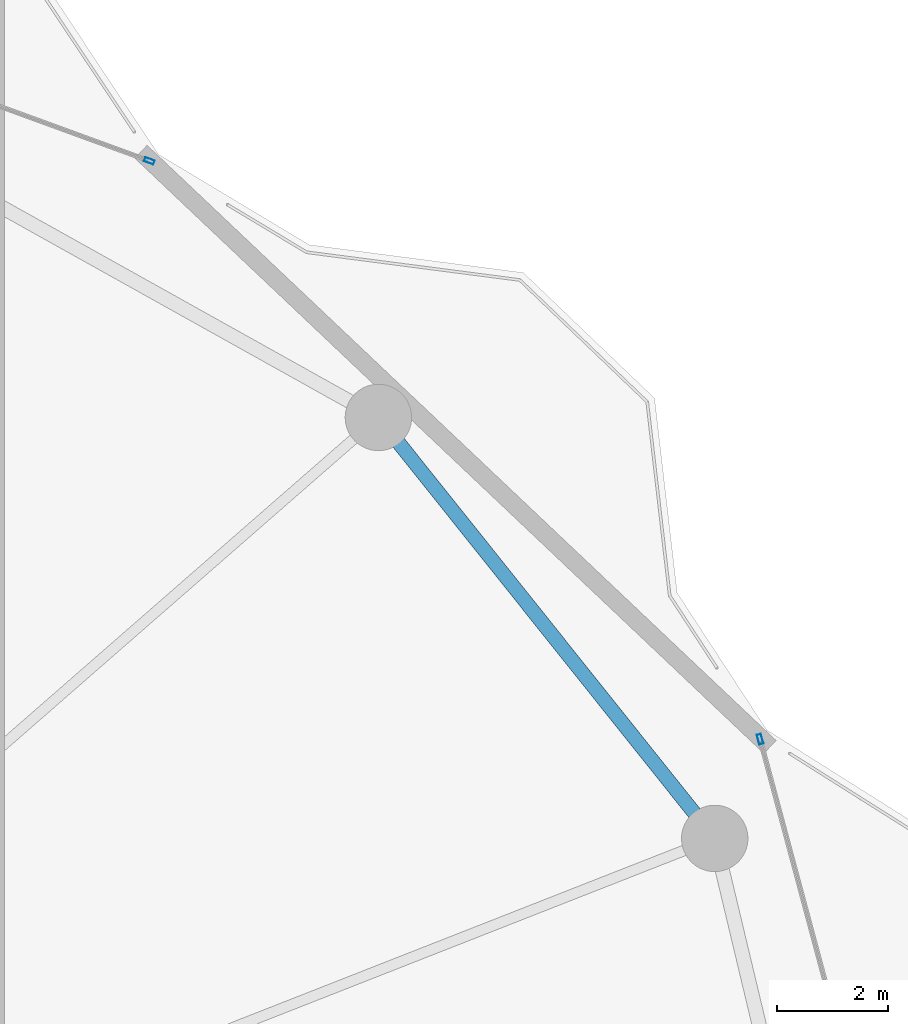
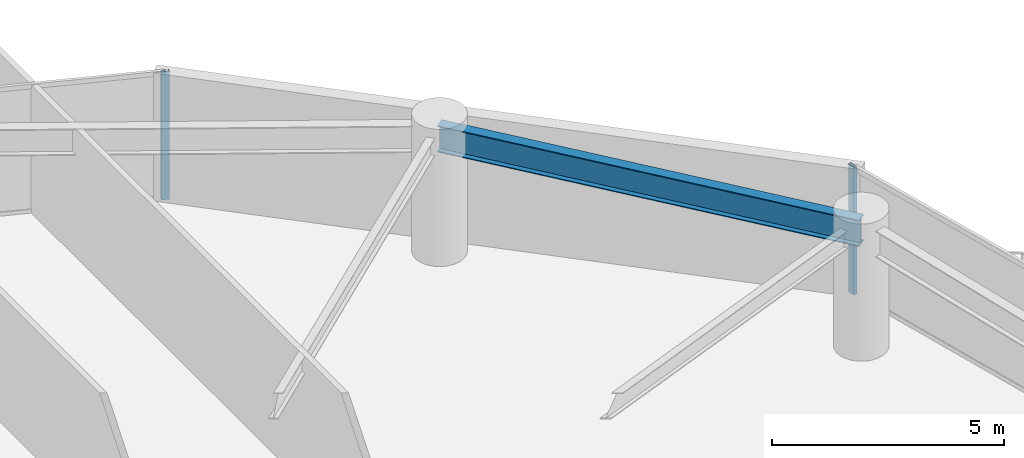
# One storey, part 21 of 28: 2 members, 1 beam, 2 elements without a shape of their own.
"""IFC4 building model written with IfcOpenShell, lengths in metres."""

from ifc_helpers import new_model, si_unit, direction, frame, origin, origin_2d, place, context, subcontext, project, spatial, hollow_rectangle, i_section, extrude, material, layer, layer_set, material_profile, profile_set, type_object, element, aggregate, save


model = new_model("IFC4")

# Units and contexts
model_context = context("Model", 3, precision=1e-05, world=origin(), true_north=direction((0.0, 1.0)))
body_context = subcontext(model_context, "Body", "Model", "MODEL_VIEW")
ifc_project = project(units=[si_unit("LENGTHUNIT", "METRE"), si_unit("AREAUNIT", "SQUARE_METRE"), si_unit("VOLUMEUNIT", "CUBIC_METRE"), si_unit("PLANEANGLEUNIT", "RADIAN"), si_unit("MASSUNIT", "GRAM", prefix="KILO")], contexts=[model_context])

# Site, building, storey
site_placement = place(None, origin())
site = spatial("IfcSite", under=ifc_project, at=site_placement, CompositionType="ELEMENT")
building_placement = place(site_placement, origin())
building = spatial("IfcBuilding", under=site, at=building_placement, Name="Kazevale Care Tower and Concert Hall", CompositionType="ELEMENT")
storey_placement = place(building_placement, frame((0.0, 0.0, 120.60009765625)))
storey = spatial("IfcBuildingStorey", under=building, at=storey_placement, Name="L31", CompositionType="ELEMENT", Elevation=120.60009765625)

# Curtain wall, member
ifc_material_1 = material(Name="Aluminium 6063-T6 and Low-E Glass", Category="aluminium")
ifc_layer_1 = layer(ifc_material_1, 0.179931640625)
ifc_layer_set_1 = layer_set([ifc_layer_1], Name="Aluminium 6063-T6 and Low-E Glass")
curtain_wall_type_1 = type_object("IfcCurtainWallType", Name="Convex Checkerboard Finned Curtain Wall CW-2", PredefinedType="NOTDEFINED", material=ifc_layer_set_1)
curtain_wall_1_placement = place(storey_placement, origin())
curtain_wall_1 = element("IfcCurtainWall", 1, at=curtain_wall_1_placement, inside=storey, type_object=curtain_wall_type_1, Name="cw:L31:f16", PredefinedType="NOTDEFINED")
ifc_material_2 = material(Name="Aluminium 6063-T6", Category="aluminium")
ifc_material_profile_1 = material_profile(ifc_material_2, hollow_rectangle(XDim=0.080078125, YDim=0.179931640625, WallThickness=0.0048828125, at=origin_2d()), Name="ALU80x180x5")
ifc_profile_set_1 = profile_set([ifc_material_profile_1], Name="Aluminium 6063-T6")
member_type_1 = type_object("IfcMemberType", Name="CW-2 Mullion ALU80x180x5", PredefinedType="MULLION", material=ifc_profile_set_1)
member_1_placement = place(storey_placement, frame((60.689453125, 59.2177734375, 0.0), z_axis=(0.0, 0.0, 1.0), x_axis=(0.343143453498, 0.939283008641, 0.0)))
member_1 = element("IfcMember", 2, at=member_1_placement, type_object=member_type_1, Name="CW-2 mullion 2", PredefinedType="MULLION", context=body_context, shape_type="SweptSolid", body=[
    extrude(hollow_rectangle(XDim=0.080078125, YDim=0.179931640625, WallThickness=0.0048828125, at=origin_2d()), origin(), (0.0, 0.0, 1.0), 3.35986328125),
])
aggregate(curtain_wall_1, [member_1])

ifc_layer_2 = layer(ifc_material_1, 0.179931640625)
ifc_layer_set_2 = layer_set([ifc_layer_2], Name="Aluminium 6063-T6 and Low-E Glass")
curtain_wall_type_2 = type_object("IfcCurtainWallType", Name="Waist & Upper Residential Curtain Wall CW-4", PredefinedType="NOTDEFINED", material=ifc_layer_set_2)
curtain_wall_2_placement = place(storey_placement, origin())
curtain_wall_2 = element("IfcCurtainWall", 3, at=curtain_wall_2_placement, inside=storey, type_object=curtain_wall_type_2, Name="cw:L31:f18", PredefinedType="NOTDEFINED")
ifc_material_profile_2 = material_profile(ifc_material_2, hollow_rectangle(XDim=0.080078125, YDim=0.179931640625, WallThickness=0.0048828125, at=origin_2d()), Name="ALU80x180x5")
ifc_profile_set_2 = profile_set([ifc_material_profile_2], Name="Aluminium 6063-T6")
member_type_2 = type_object("IfcMemberType", Name="CW-4 Mullion ALU80x180x5", PredefinedType="MULLION", material=ifc_profile_set_2)
member_2_placement = place(storey_placement, frame((71.73046875, 48.764404296875, 0.0), z_axis=(0.0, 0.0, 1.0), x_axis=(0.965806263229, 0.259264848961, 0.0)))
member_2 = element("IfcMember", 4, at=member_2_placement, type_object=member_type_2, Name="CW-4 mullion 1", PredefinedType="MULLION", context=body_context, shape_type="SweptSolid", body=[
    extrude(hollow_rectangle(XDim=0.080078125, YDim=0.179931640625, WallThickness=0.0048828125, at=origin_2d()), origin(), (0.0, 0.0, 1.0), 3.35986328125),
])
aggregate(curtain_wall_2, [member_2])

# Beam
ifc_material_3 = material(Name="Steel ASTM A572 Gr 50", Category="steel")
ifc_material_profile_3 = material_profile(ifc_material_3, i_section(OverallWidth=0.256103515625, OverallDepth=0.693115234375, WebThickness=0.014404296875, FlangeThickness=0.023681640625, at=origin_2d()), Name="W690x170")
ifc_profile_set_3 = profile_set([ifc_material_profile_3], Name="Steel ASTM A572 Gr 50")
beam_type = type_object("IfcBeamType", Name="Waist Ring Beam W690x170", PredefinedType="BEAM", material=ifc_profile_set_3)
beam_placement = place(storey_placement, frame((70.909912109375, 46.969970703125, 3.013427734375), z_axis=(-0.624178340034, 0.781281895242, 0.0), x_axis=(-0.781281895242, -0.624178340034, 0.0)))
element("IfcBeam", 5, at=beam_placement, inside=storey, type_object=beam_type, Name="beam:L31:ring:02", PredefinedType="BEAM", context=body_context, shape_type="SweptSolid", body=[
    extrude(i_section(OverallWidth=0.256103515625, OverallDepth=0.693115234375, WebThickness=0.014404296875, FlangeThickness=0.023681640625, at=origin_2d()), origin(), (0.0, 0.0, 1.0), 9.740478515625),
])

save(model, "model.ifc")
